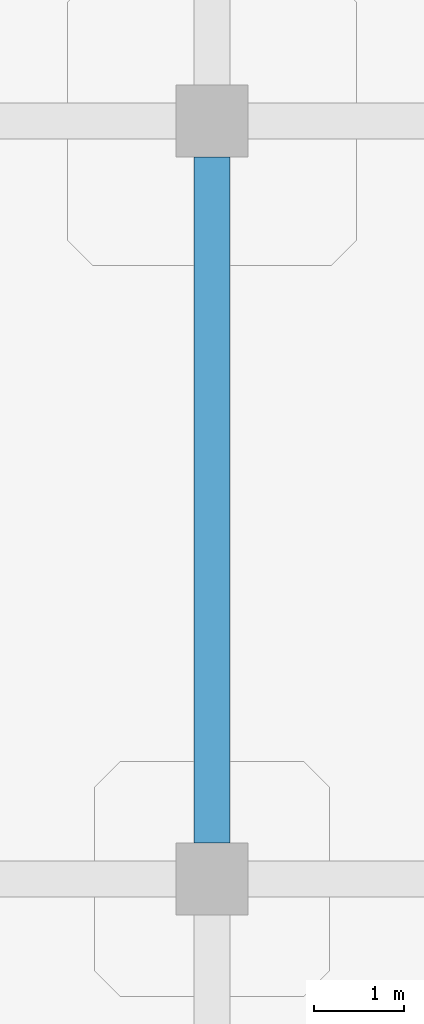
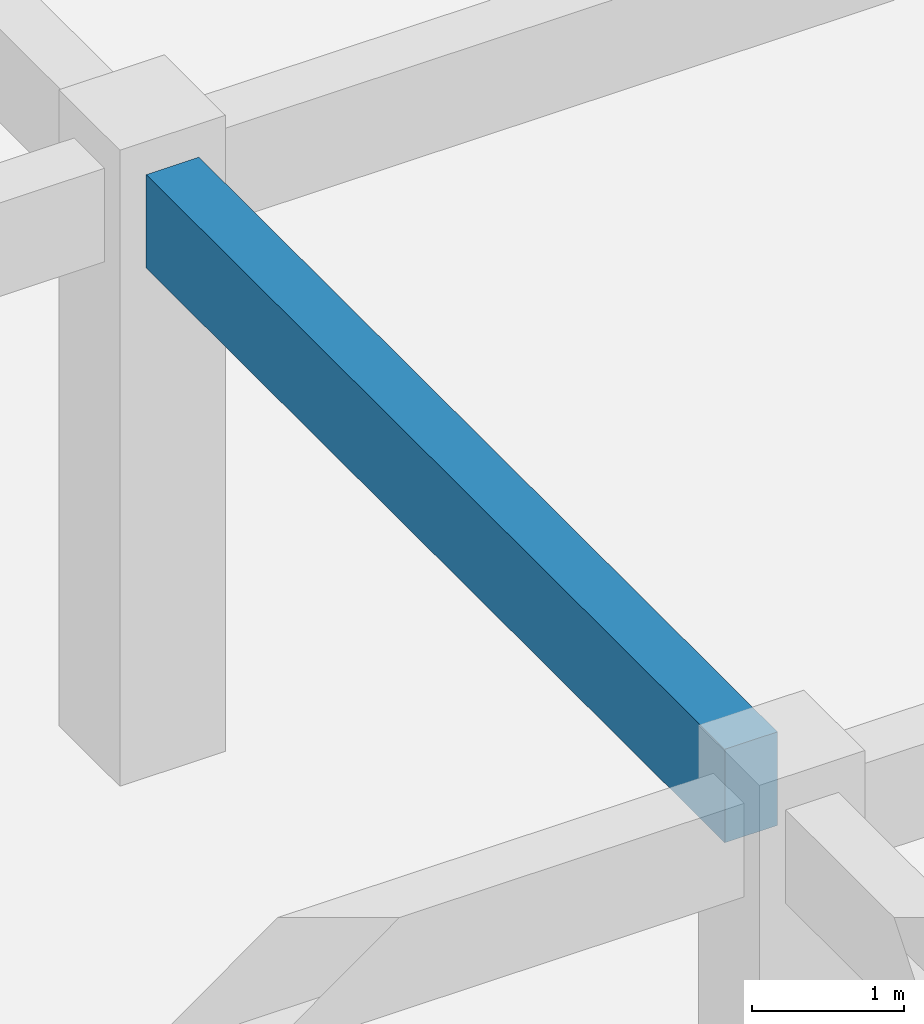
# One storey, part 83 of 124: 1 beam.
"""IFC4 building model written with IfcOpenShell, lengths in metres."""

from ifc_helpers import new_model, si_unit, derived_unit, direction, frame, origin, origin_2d, place, context, subcontext, project, spatial, rectangle, extrude, material, material_profile, profile_set, type_object, element, save


model = new_model("IFC4")

# Units and contexts
model_context = context("Model", 3, precision=1e-05, world=origin(), true_north=direction((0.0, 1.0)))
body_context = subcontext(model_context, "Body", "Model", "MODEL_VIEW")
ifc_project = project(units=[si_unit("LENGTHUNIT", "METRE"), si_unit("AREAUNIT", "SQUARE_METRE"), si_unit("VOLUMEUNIT", "CUBIC_METRE"), si_unit("PLANEANGLEUNIT", "RADIAN"), si_unit("MASSUNIT", "GRAM", prefix="KILO"), derived_unit("THERMALTRANSMITTANCEUNIT", [(si_unit("MASSUNIT", "GRAM", prefix="KILO"), 1), (si_unit("TIMEUNIT", "SECOND"), -3), (si_unit("THERMODYNAMICTEMPERATUREUNIT", "KELVIN"), -1)])], contexts=[model_context])

# Site, building, storey
site_placement = place(None, origin())
site = spatial("IfcSite", under=ifc_project, at=site_placement, CompositionType="ELEMENT")
building_placement = place(site_placement, origin())
building = spatial("IfcBuilding", under=site, at=building_placement, Name="Qinzheling Arcade Emporium", CompositionType="ELEMENT")
storey_placement = place(building_placement, frame((0.0, 0.0, 16.5)))
storey = spatial("IfcBuildingStorey", under=building, at=storey_placement, Name="L04", CompositionType="ELEMENT", Elevation=16.5)

# Beam
ifc_material = material(Name="Concrete C40", Category="concrete")
ifc_material_profile = material_profile(ifc_material, rectangle(XDim=0.39990234375, YDim=0.75, at=origin_2d()), Name="RC 400x750", Category="concrete")
ifc_profile_set = profile_set([ifc_material_profile], Name="Concrete C40")
beam_type = type_object("IfcBeamType", Name="RC Interior Tie Beam 400x750 C40", PredefinedType="BEAM", material=ifc_profile_set)
beam_placement = place(storey_placement, frame((130.5, 82.60009765625, 4.4599609375), z_axis=(0.0, 1.0, 0.0), x_axis=(-1.0, 0.0, 0.0)))
element("IfcBeam", 1, at=beam_placement, inside=storey, type_object=beam_type, Name="Beam BM-L04-Y-16-K", PredefinedType="BEAM", context=body_context, shape_type="SweptSolid", body=[
    extrude(rectangle(XDim=0.39990234375, YDim=0.75, at=origin_2d()), origin(), (0.0, 0.0, 1.0), 7.599853515625),
])

save(model, "model.ifc")
